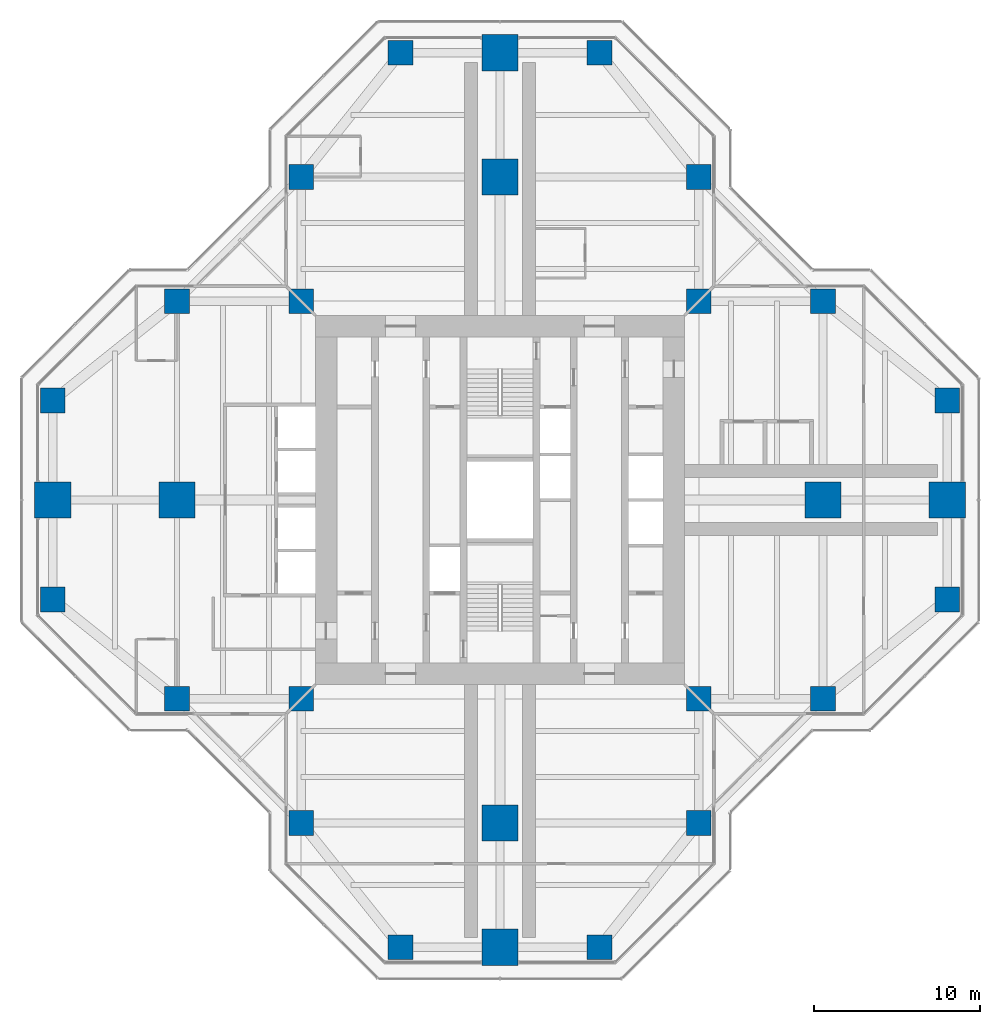
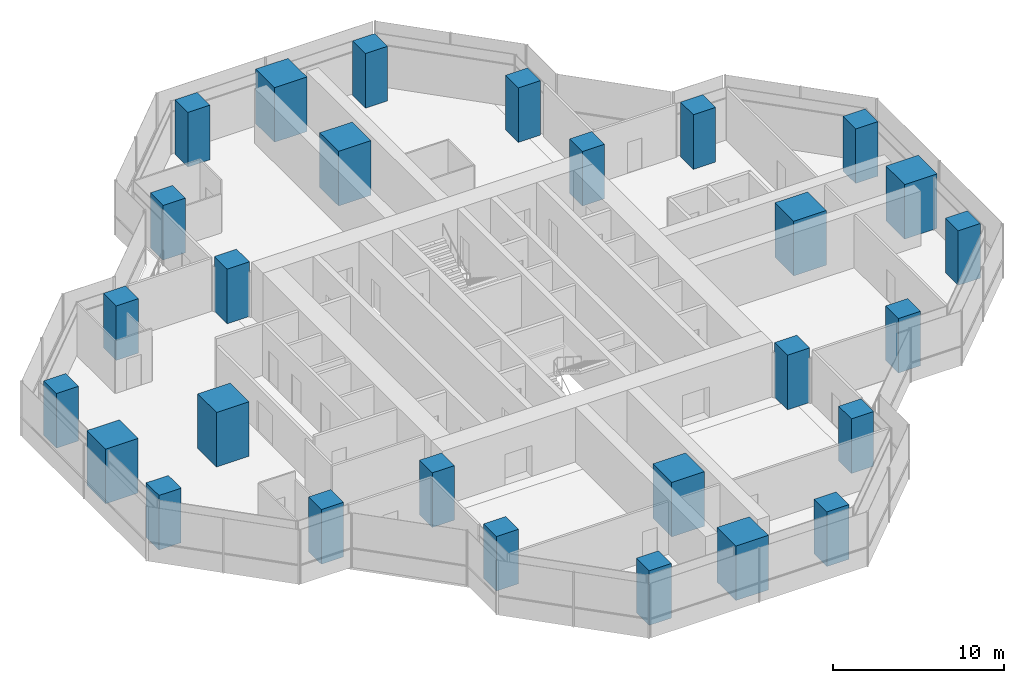
# One storey, part 1 of 17: 28 columns.
"""IFC4 building model written with IfcOpenShell, lengths in metres."""

from ifc_helpers import new_model, si_unit, direction, frame, origin, origin_2d, place, context, subcontext, project, spatial, rectangle, extrude, material, material_profile, profile_set, type_object, element, save


model = new_model("IFC4")

# Units and contexts
model_context = context("Model", 3, precision=1e-05, world=origin(), true_north=direction((0.0, 1.0)))
body_context = subcontext(model_context, "Body", "Model", "MODEL_VIEW")
ifc_project = project(units=[si_unit("LENGTHUNIT", "METRE"), si_unit("AREAUNIT", "SQUARE_METRE"), si_unit("VOLUMEUNIT", "CUBIC_METRE"), si_unit("PLANEANGLEUNIT", "RADIAN"), si_unit("MASSUNIT", "GRAM", prefix="KILO")], contexts=[model_context])

# Site, building, storey
site_placement = place(None, origin())
site = spatial("IfcSite", under=ifc_project, at=site_placement, CompositionType="ELEMENT")
building_placement = place(site_placement, origin())
building = spatial("IfcBuilding", under=site, at=building_placement, Name="Mizan Broadcast Tower", CompositionType="ELEMENT")
storey_placement = place(building_placement, frame((0.0, 0.0, 208.800048828125)))
storey = spatial("IfcBuildingStorey", under=building, at=storey_placement, Name="L48", CompositionType="ELEMENT", Elevation=208.800048828125)

# Columns
ifc_material_1 = material(Name="Concrete C70/85", Category="concrete")
ifc_material_profile_1 = material_profile(ifc_material_1, rectangle(XDim=1.5, YDim=1.5, at=origin_2d()), Name="RC 1500x1500")
ifc_profile_set_1 = profile_set([ifc_material_profile_1], Name="Concrete C70/85")
column_type_1 = type_object("IfcColumnType", Name="RC COLUMN 1500x1500 C70/85", PredefinedType="COLUMN", material=ifc_profile_set_1)
for number, where, z_axis, x_axis, name in (
    (1, (-6.0, -27.0, 0.0), (0.0, 0.0, 1.0), (1.0, 0.0, 0.0), "Column 5/B L48"),
    (2, (6.0, -27.0, 0.0), (0.0, 0.0, 1.0), (1.0, 0.0, 0.0), "Column 7/B L48"),
    (3, (-12.0, -19.5, 0.0), (0.0, 0.0, 1.0), (1.0, 0.0, 0.0), "Column 4/C L48"),
    (4, (12.0, -19.5, 0.0), (0.0, 0.0, 1.0), (1.0, 0.0, 0.0), "Column 8/C L48"),
    (5, (-19.5, -12.0, 0.0), (0.0, 0.0, 1.0), (1.0, 0.0, 0.0), "Column 3/D L48"),
    (6, (-12.0, -12.0, 0.0), (0.0, 0.0, 1.0), (1.0, 0.0, 0.0), "Column 4/D L48"),
    (7, (12.0, -12.0, 0.0), (0.0, 0.0, 1.0), (1.0, 0.0, 0.0), "Column 8/D L48"),
    (8, (19.5, -12.0, 0.0), (0.0, 0.0, 1.0), (1.0, 0.0, 0.0), "Column 9/D L48"),
    (9, (-27.0, -6.0, 0.0), (0.0, 0.0, 1.0), (1.0, 0.0, 0.0), "Column 2/E L48"),
    (10, (27.0, -6.0, 0.0), (0.0, 0.0, 1.0), (1.0, 0.0, 0.0), "Column 10/E L48"),
    (11, (-27.0, 6.0, 0.0), (0.0, 0.0, 1.0), (1.0, 0.0, 0.0), "Column 2/G L48"),
    (12, (27.0, 6.0, 0.0), (0.0, 0.0, 1.0), (1.0, 0.0, 0.0), "Column 10/G L48"),
    (13, (-19.5, 12.0, 0.0), (0.0, 0.0, 1.0), (1.0, 0.0, 0.0), "Column 3/H L48"),
    (14, (-12.0, 12.0, 0.0), (0.0, 0.0, 1.0), (1.0, 0.0, 0.0), "Column 4/H L48"),
    (15, (12.0, 12.0, 0.0), (0.0, 0.0, 1.0), (1.0, 0.0, 0.0), "Column 8/H L48"),
    (16, (19.5, 12.0, 0.0), (0.0, 0.0, 1.0), (1.0, 0.0, 0.0), "Column 9/H L48"),
    (17, (-12.0, 19.5, 0.0), (0.0, 0.0, 1.0), (1.0, 0.0, 0.0), "Column 4/J L48"),
    (18, (12.0, 19.5, 0.0), (0.0, 0.0, 1.0), (1.0, 0.0, 0.0), "Column 8/J L48"),
    (19, (-6.0, 27.0, 0.0), (0.0, 0.0, 1.0), (1.0, 0.0, 0.0), "Column 5/K L48"),
    (20, (6.0, 27.0, 0.0), (0.0, 0.0, 1.0), (1.0, 0.0, 0.0), "Column 7/K L48"),
):
    element("IfcColumn", number, at=place(storey_placement, frame(where, z_axis=z_axis, x_axis=x_axis)), inside=storey, type_object=column_type_1, Name=name, PredefinedType="COLUMN", context=body_context, shape_type="SweptSolid", body=[
        extrude(rectangle(XDim=1.5, YDim=1.5, at=origin_2d()), origin(), (0.0, 0.0, 1.0), 3.89990234375),
    ])
ifc_material_2 = material(Name="Concrete C70/85", Category="concrete")
ifc_material_profile_2 = material_profile(ifc_material_2, rectangle(XDim=2.199951171875, YDim=2.199951171875, at=origin_2d()), Name="RC 2200x2200")
ifc_profile_set_2 = profile_set([ifc_material_profile_2], Name="Concrete C70/85")
column_type_2 = type_object("IfcColumnType", Name="RC COLUMN 2200x2200 C70/85", PredefinedType="COLUMN", material=ifc_profile_set_2)
for number, where, z_axis, x_axis, name in (
    (21, (0.0, -27.0, 0.0), (0.0, 0.0, 1.0), (1.0, 0.0, 0.0), "Column 6/B L48"),
    (22, (0.0, -19.5, 0.0), (0.0, 0.0, 1.0), (1.0, 0.0, 0.0), "Column 6/C L48"),
    (23, (-27.0, 0.0, 0.0), (0.0, 0.0, 1.0), (1.0, 0.0, 0.0), "Column 2/F L48"),
    (24, (-19.5, 0.0, 0.0), (0.0, 0.0, 1.0), (1.0, 0.0, 0.0), "Column 3/F L48"),
    (25, (19.5, 0.0, 0.0), (0.0, 0.0, 1.0), (1.0, 0.0, 0.0), "Column 9/F L48"),
    (26, (27.0, 0.0, 0.0), (0.0, 0.0, 1.0), (1.0, 0.0, 0.0), "Column 10/F L48"),
    (27, (0.0, 19.5, 0.0), (0.0, 0.0, 1.0), (1.0, 0.0, 0.0), "Column 6/J L48"),
    (28, (0.0, 27.0, 0.0), (0.0, 0.0, 1.0), (1.0, 0.0, 0.0), "Column 6/K L48"),
):
    element("IfcColumn", number, at=place(storey_placement, frame(where, z_axis=z_axis, x_axis=x_axis)), inside=storey, type_object=column_type_2, Name=name, PredefinedType="COLUMN", context=body_context, shape_type="SweptSolid", body=[
        extrude(rectangle(XDim=2.199951171875, YDim=2.199951171875, at=origin_2d()), origin(), (0.0, 0.0, 1.0), 3.89990234375),
    ])

save(model, "model.ifc")
